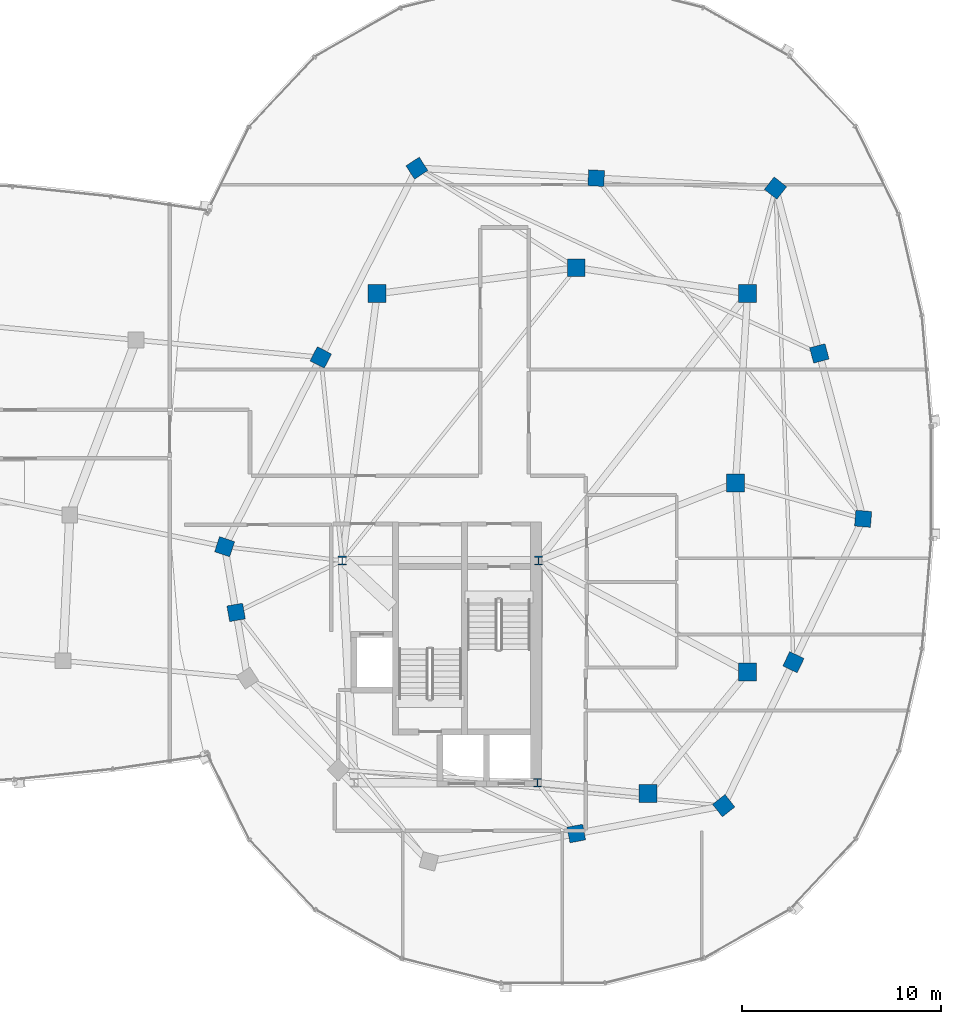
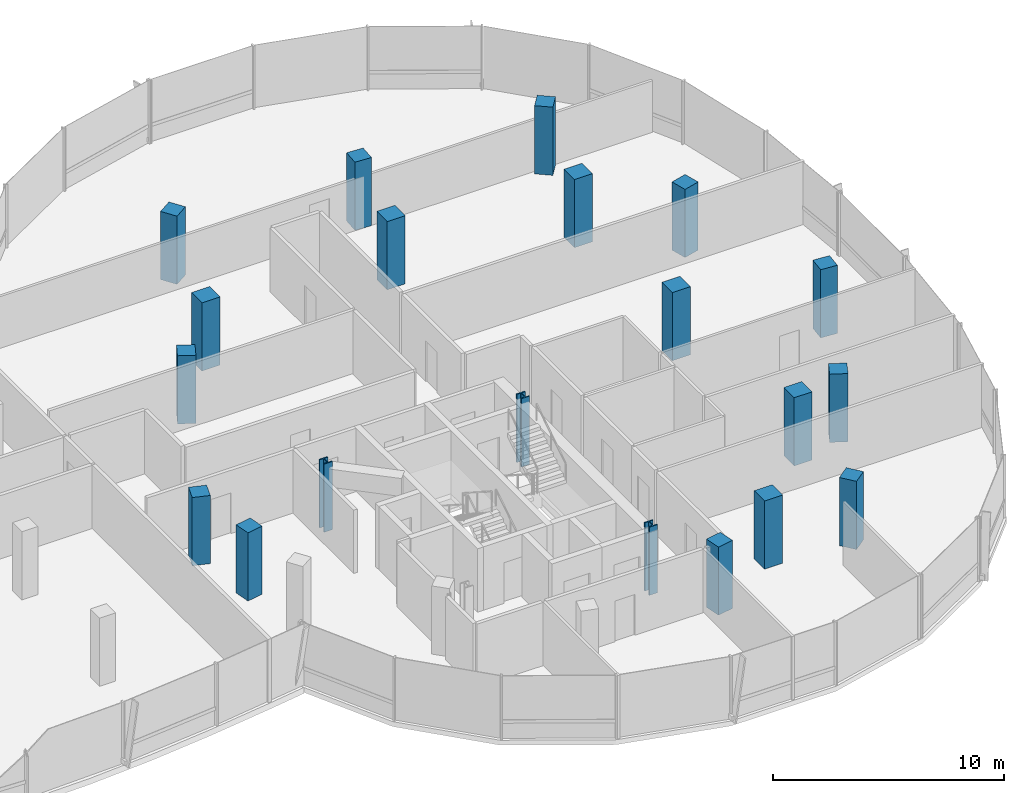
# One storey, part 2 of 26: 20 columns.
"""IFC4 building model written with IfcOpenShell, lengths in metres."""

from ifc_helpers import new_model, si_unit, direction, frame, origin, origin_2d, place, context, subcontext, project, spatial, rectangle, i_section, extrude, material, material_profile, profile_set, type_object, element, save


model = new_model("IFC4")

# Units and contexts
model_context = context("Model", 3, precision=1e-05, world=origin(), true_north=direction((0.0, 1.0)))
body_context = subcontext(model_context, "Body", "Model", "MODEL_VIEW")
ifc_project = project(units=[si_unit("LENGTHUNIT", "METRE"), si_unit("AREAUNIT", "SQUARE_METRE"), si_unit("VOLUMEUNIT", "CUBIC_METRE"), si_unit("PLANEANGLEUNIT", "RADIAN"), si_unit("MASSUNIT", "GRAM", prefix="KILO"), si_unit("THERMODYNAMICTEMPERATUREUNIT", "KELVIN"), si_unit("POWERUNIT", "WATT")], contexts=[model_context])

# Site, building, storey
site_placement = place(None, origin())
site = spatial("IfcSite", under=ifc_project, at=site_placement, CompositionType="ELEMENT")
building_placement = place(site_placement, origin())
building = spatial("IfcBuilding", under=site, at=building_placement, Name="Cundina Bronze Exchange", CompositionType="ELEMENT")
storey_placement = place(building_placement, frame((0.0, 0.0, 264.800048828125)))
storey = spatial("IfcBuildingStorey", under=building, at=storey_placement, Name="L70", CompositionType="ELEMENT", Elevation=264.800048828125)

# Columns
ifc_material_1 = material(Name="Concrete C50/60", Category="concrete")
ifc_material_profile_1 = material_profile(ifc_material_1, rectangle(XDim=0.800048828125, YDim=0.800048828125, at=origin_2d()), Name="RC800X800", Category="concrete")
ifc_profile_set_1 = profile_set([ifc_material_profile_1], Name="Concrete C50/60")
column_type_1 = type_object("IfcColumnType", Name="COL-BRG-800", PredefinedType="COLUMN", material=ifc_profile_set_1)
for number, where, z_axis, x_axis, name in (
    (1, (15.550048828125, -3.199951171875, 0.0), (0.0, 0.0, 1.0), (-0.315152163383, -0.949041155016, 0.0), "L70 E Perimeter Column 00"),
    (2, (16.125, -6.5, 0.0), (0.0, 0.0, 1.0), (0.171585221787, -0.985169280715, 0.0), "L70 E Perimeter Column 01"),
    (3, (33.199951171875, -17.60009765625, 0.0), (0.0, 0.0, 1.0), (0.98258037664, 0.185838110843, 0.0), "L70 E Perimeter Column 05"),
    (4, (40.60009765625, -16.199951171875, 0.0), (0.0, 0.0, 1.0), (0.785100778485, 0.619368038909, 0.0), "L70 E Perimeter Column 06"),
    (5, (44.10009765625, -9.0, 0.0), (0.0, 0.0, 1.0), (0.437115766651, 0.899405251566, 0.0), "L70 E Perimeter Column 07"),
    (6, (47.60009765625, -1.800048828125, 0.0), (0.0, 0.0, 1.0), (0.083503921245, 0.996507448611, 0.0), "L70 E Perimeter Column 08"),
    (7, (45.39990234375, 6.5, 0.0), (0.0, 0.0, 1.0), (-0.256289373133, 0.966600102017, 0.0), "L70 E Perimeter Column 09"),
    (8, (43.199951171875, 14.800048828125, 0.0), (0.0, 0.0, 1.0), (-0.786288432137, 0.61785961309, 0.0), "L70 E Perimeter Column 10"),
    (9, (34.199951171875, 15.300048828125, 0.0), (0.0, 0.0, 1.0), (-0.998460188734, 0.055472980025, 0.0), "L70 E Perimeter Column 11"),
    (10, (25.199951171875, 15.800048828125, 0.0), (0.0, 0.0, 1.0), (-0.838099763533, -0.545516989988, 0.0), "L70 E Perimeter Column 12"),
    (11, (20.375, 6.300048828125, 0.0), (0.0, 0.0, 1.0), (-0.452901591366, -0.891560513111, 0.0), "L70 E Perimeter Column 13"),
):
    element("IfcColumn", number, at=place(storey_placement, frame(where, z_axis=z_axis, x_axis=x_axis)), inside=storey, type_object=column_type_1, Name=name, PredefinedType="COLUMN", context=body_context, shape_type="SweptSolid", body=[
        extrude(rectangle(XDim=0.800048828125, YDim=0.800048828125, at=origin_2d()), origin(), (0.0, 0.0, 1.0), 3.599853515625),
    ])
ifc_material_2 = material(Name="Steel ASTM A992 Grade 50", Category="steel")
ifc_material_profile_2 = material_profile(ifc_material_2, i_section(OverallWidth=0.416015625, OverallDepth=0.446044921875, WebThickness=0.0390625, FlangeThickness=0.062744140625, FilletRadius=0.01806640625, at=origin_2d()), Name="W14X342", Category="steel")
ifc_profile_set_2 = profile_set([ifc_material_profile_2], Name="Steel ASTM A992 Grade 50")
column_type_2 = type_object("IfcColumnType", Name="COL-STL-W14B", PredefinedType="COLUMN", material=ifc_profile_set_2)
for number, where, z_axis, x_axis, name in (
    (12, (31.300048828125, -3.89990234375, 0.0), (0.0, 0.0, 1.0), (1.0, 0.0, 0.0), "L70 Core Anchor Column E1"),
    (13, (21.449951171875, -3.89990234375, 0.0), (0.0, 0.0, 1.0), (1.0, 0.0, 0.0), "L70 Core Anchor Column E2"),
    (14, (31.25, -15.050048828125, 0.0), (0.0, 0.0, 1.0), (1.0, 0.0, 0.0), "L70 Core Anchor Column E4"),
):
    element("IfcColumn", number, at=place(storey_placement, frame(where, z_axis=z_axis, x_axis=x_axis)), inside=storey, type_object=column_type_2, Name=name, PredefinedType="COLUMN", context=body_context, shape_type="SweptSolid", body=[
        extrude(i_section(OverallWidth=0.416015625, OverallDepth=0.446044921875, WebThickness=0.0390625, FlangeThickness=0.062744140625, FilletRadius=0.01806640625, at=origin_2d()), origin(), (0.0, 0.0, 1.0), 3.599853515625),
    ])
ifc_material_profile_3 = material_profile(ifc_material_1, rectangle(XDim=0.89990234375, YDim=0.89990234375, at=origin_2d()), Name="RC900X900", Category="concrete")
ifc_profile_set_3 = profile_set([ifc_material_profile_3], Name="Concrete C50/60")
column_type_3 = type_object("IfcColumnType", Name="COL-Z4-900", PredefinedType="COLUMN", material=ifc_profile_set_3)
for number, where, z_axis, x_axis, name in (
    (15, (41.199951171875, 0.0, 0.0), (0.0, 0.0, 1.0), (1.0, 0.0, 0.0), "L70 E Inner Ring Column 1"),
    (16, (41.800048828125, -9.5, 0.0), (0.0, 0.0, 1.0), (1.0, 0.0, 0.0), "L70 E Inner Ring Column 2"),
    (17, (36.800048828125, -15.60009765625, 0.0), (0.0, 0.0, 1.0), (1.0, 0.0, 0.0), "L70 E Inner Ring Column 3"),
    (18, (41.800048828125, 9.5, 0.0), (0.0, 0.0, 1.0), (1.0, 0.0, 0.0), "L70 E Inner Ring Column 4"),
    (19, (33.199951171875, 10.800048828125, 0.0), (0.0, 0.0, 1.0), (1.0, 0.0, 0.0), "L70 E Inner Ring Column 5"),
    (20, (23.199951171875, 9.5, 0.0), (0.0, 0.0, 1.0), (1.0, 0.0, 0.0), "L70 E Inner Ring Column 6"),
):
    element("IfcColumn", number, at=place(storey_placement, frame(where, z_axis=z_axis, x_axis=x_axis)), inside=storey, type_object=column_type_3, Name=name, PredefinedType="COLUMN", context=body_context, shape_type="SweptSolid", body=[
        extrude(rectangle(XDim=0.89990234375, YDim=0.89990234375, at=origin_2d()), origin(), (0.0, 0.0, 1.0), 3.599853515625),
    ])

save(model, "model.ifc")
